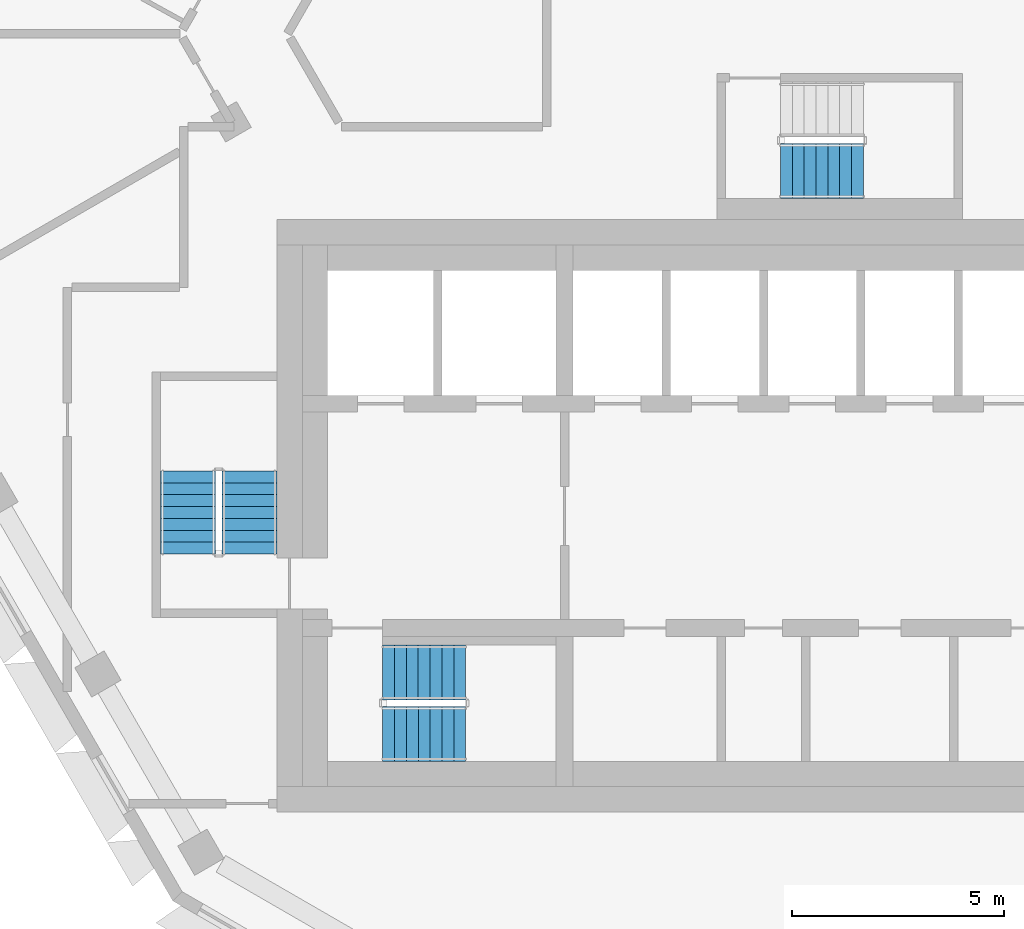
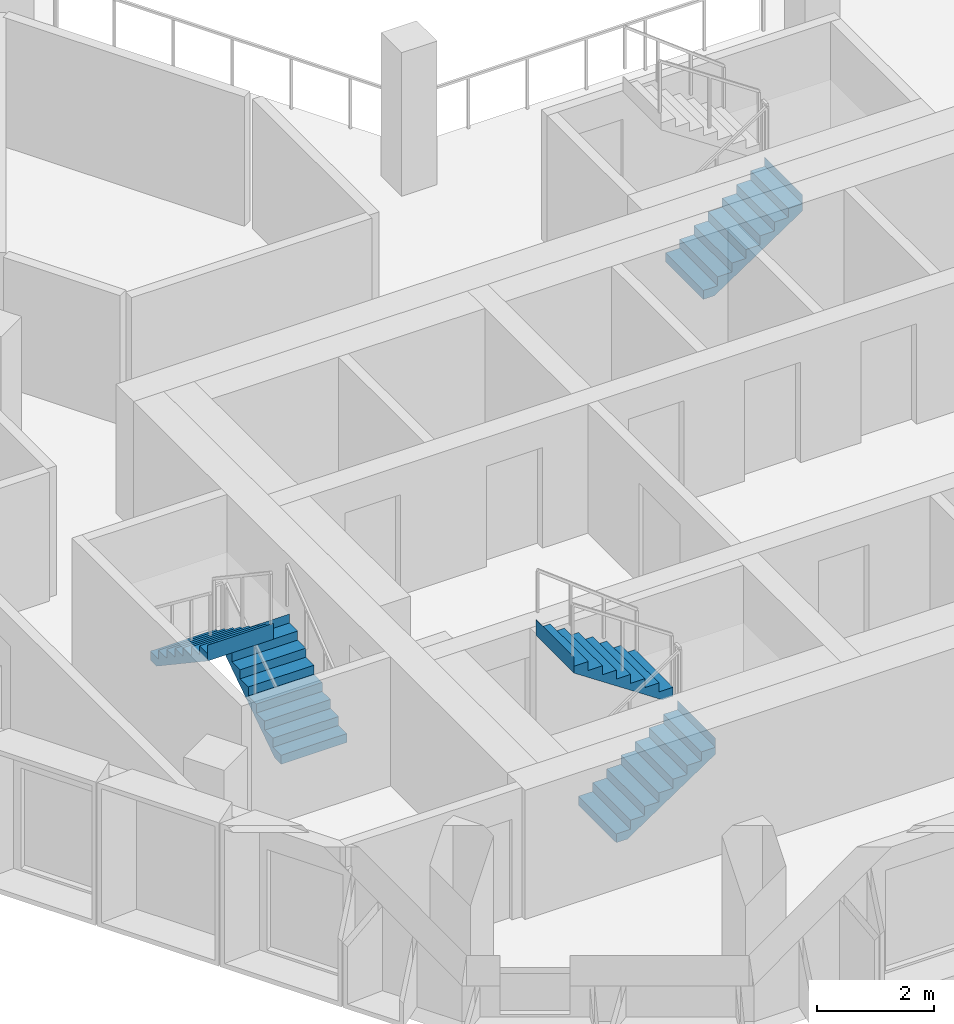
# One storey, part 9 of 15: 5 stair flights, 3 elements without a shape of their own.
"""IFC4 building model written with IfcOpenShell, lengths in metres."""

from ifc_helpers import new_model, si_unit, direction, frame, origin, place, context, subcontext, project, spatial, triangles, material, type_object, element, aggregate, save


model = new_model("IFC4")

# Units and contexts
model_context = context("Model", 3, precision=1e-05, world=origin(), true_north=direction((0.0, 1.0)))
body_context = subcontext(model_context, "Body", "Model", "MODEL_VIEW")
ifc_project = project(units=[si_unit("LENGTHUNIT", "METRE"), si_unit("AREAUNIT", "SQUARE_METRE"), si_unit("VOLUMEUNIT", "CUBIC_METRE"), si_unit("PLANEANGLEUNIT", "RADIAN"), si_unit("MASSUNIT", "GRAM", prefix="KILO")], contexts=[model_context])

# Site, building, storey
site_placement = place(None, origin())
site = spatial("IfcSite", under=ifc_project, at=site_placement, CompositionType="ELEMENT")
building_placement = place(site_placement, origin())
building = spatial("IfcBuilding", under=site, at=building_placement, Name="Beryl Residences", CompositionType="ELEMENT")
storey_placement = place(building_placement, frame((0.0, 0.0, 193.199951171875)))
storey = spatial("IfcBuildingStorey", under=building, at=storey_placement, Name="L59", CompositionType="ELEMENT", Elevation=193.199951171875)

# Stair, stair flights
ifc_material_1 = material(Name="Concrete C40/50", Category="concrete")
stair_type = type_object("IfcStairType", Name="ST1 protected exit stair, half-turn, 1300 mm flights", PredefinedType="HALF_TURN_STAIR", material=ifc_material_1)
stair_1_placement = place(storey_placement, origin())
stair_1 = element("IfcStair", 1, at=stair_1_placement, inside=storey, type_object=stair_type, Name="L59 PROTECTED EXIT STAIR ST-1", PredefinedType="HALF_TURN_STAIR")
ifc_material_2 = material(Name="Concrete C40/50", Category="concrete")
stair_flight_type = type_object("IfcStairFlightType", Name="SF1 stair flight 1300 mm", PredefinedType="STRAIGHT", material=ifc_material_2)
stair_flight_1_placement = place(storey_placement, frame((-10.800048828125, -17.14990234375, 0.0), z_axis=(0.0, 0.0, 1.0), x_axis=(1.0, 0.0, 0.0)))
stair_flight_1 = element("IfcStairFlight", 2, at=stair_flight_1_placement, type_object=stair_flight_type, Name="ST-1 flight 1", NumberOfRisers=8, NumberOfTreads=7, PredefinedType="STRAIGHT", RiserHeight=0.1875, TreadLength=0.28, context=body_context, shape_type="Tessellation", body=[
    triangles([(0.0, -0.64990234375, 0.0), (0.0, -0.324951171875, 0.0), (0.0, 0.0, 0.0), (0.0, 0.324951171875, 0.0), (0.0, 0.64990234375, 0.0), (0.0, -0.64990234375, 0.1875), (0.0, -0.324951171875, 0.1875), (0.0, 0.0, 0.1875), (0.0, 0.324951171875, 0.1875), (0.0, 0.64990234375, 0.1875), (0.280029296875, -0.64990234375, 0.1875), (0.280029296875, -0.324951171875, 0.1875), (0.280029296875, 0.0, 0.1875), (0.280029296875, 0.324951171875, 0.1875), (0.280029296875, 0.64990234375, 0.1875), (0.280029296875, -0.64990234375, 0.375), (0.280029296875, -0.324951171875, 0.375), (0.280029296875, 0.0, 0.375), (0.280029296875, 0.324951171875, 0.375), (0.280029296875, 0.64990234375, 0.375), (0.56005859375, -0.64990234375, 0.375), (0.56005859375, -0.324951171875, 0.375), (0.56005859375, 0.0, 0.375), (0.56005859375, 0.324951171875, 0.375), (0.56005859375, 0.64990234375, 0.375), (0.56005859375, -0.64990234375, 0.5625), (0.56005859375, -0.324951171875, 0.5625), (0.56005859375, 0.0, 0.5625), (0.56005859375, 0.324951171875, 0.5625), (0.56005859375, 0.64990234375, 0.5625), (0.840087890625, -0.64990234375, 0.5625), (0.840087890625, -0.324951171875, 0.5625), (0.840087890625, 0.0, 0.5625), (0.840087890625, 0.324951171875, 0.5625), (0.840087890625, 0.64990234375, 0.5625), (0.840087890625, -0.64990234375, 0.75), (0.840087890625, -0.324951171875, 0.75), (0.840087890625, 0.0, 0.75), (0.840087890625, 0.324951171875, 0.75), (0.840087890625, 0.64990234375, 0.75), (1.1201171875, -0.64990234375, 0.75), (1.1201171875, -0.324951171875, 0.75), (1.1201171875, 0.0, 0.75), (1.1201171875, 0.324951171875, 0.75), (1.1201171875, 0.64990234375, 0.75), (1.1201171875, -0.64990234375, 0.9375), (1.1201171875, -0.324951171875, 0.9375), (1.1201171875, 0.0, 0.9375), (1.1201171875, 0.324951171875, 0.9375), (1.1201171875, 0.64990234375, 0.9375), (1.39990234375, -0.64990234375, 0.9375), (1.39990234375, -0.324951171875, 0.9375), (1.39990234375, 0.0, 0.9375), (1.39990234375, 0.324951171875, 0.9375), (1.39990234375, 0.64990234375, 0.9375), (1.39990234375, -0.64990234375, 1.125), (1.39990234375, -0.324951171875, 1.125), (1.39990234375, 0.0, 1.125), (1.39990234375, 0.324951171875, 1.125), (1.39990234375, 0.64990234375, 1.125), (1.679931640625, -0.64990234375, 1.125), (1.679931640625, -0.324951171875, 1.125), (1.679931640625, 0.0, 1.125), (1.679931640625, 0.324951171875, 1.125), (1.679931640625, 0.64990234375, 1.125), (1.679931640625, -0.64990234375, 1.3125), (1.679931640625, -0.324951171875, 1.3125), (1.679931640625, 0.0, 1.3125), (1.679931640625, 0.324951171875, 1.3125), (1.679931640625, 0.64990234375, 1.3125), (1.9599609375, -0.64990234375, 1.3125), (1.9599609375, -0.324951171875, 1.3125), (1.9599609375, 0.0, 1.3125), (1.9599609375, 0.324951171875, 1.3125), (1.9599609375, 0.64990234375, 1.3125), (1.9599609375, -0.64990234375, 1.5), (1.9599609375, -0.324951171875, 1.5), (1.9599609375, 0.0, 1.5), (1.9599609375, 0.324951171875, 1.5), (1.9599609375, 0.64990234375, 1.5), (1.9609375, -0.64990234375, 1.5), (1.9609375, -0.324951171875, 1.5), (1.9609375, 0.0, 1.5), (1.9609375, 0.324951171875, 1.5), (1.9609375, 0.64990234375, 1.5), (1.9609375, -0.64990234375, 1.16796875), (1.9609375, -0.324951171875, 1.16796875), (1.9609375, 0.0, 1.16796875), (1.9609375, 0.324951171875, 1.16796875), (1.9609375, 0.64990234375, 1.16796875), (0.216796875, -0.64990234375, 0.0), (0.216796875, -0.324951171875, 0.0), (0.216796875, 0.0, 0.0), (0.216796875, 0.324951171875, 0.0), (0.216796875, 0.64990234375, 0.0)], [[1, 6, 7], [1, 7, 2], [2, 7, 8], [2, 8, 3], [3, 8, 9], [3, 9, 4], [4, 9, 10], [4, 10, 5], [6, 11, 12], [6, 12, 7], [7, 12, 13], [7, 13, 8], [8, 13, 14], [8, 14, 9], [9, 14, 15], [9, 15, 10], [11, 16, 17], [11, 17, 12], [12, 17, 18], [12, 18, 13], [13, 18, 19], [13, 19, 14], [14, 19, 20], [14, 20, 15], [16, 21, 22], [16, 22, 17], [17, 22, 23], [17, 23, 18], [18, 23, 24], [18, 24, 19], [19, 24, 25], [19, 25, 20], [21, 26, 27], [21, 27, 22], [22, 27, 28], [22, 28, 23], [23, 28, 29], [23, 29, 24], [24, 29, 30], [24, 30, 25], [26, 31, 32], [26, 32, 27], [27, 32, 33], [27, 33, 28], [28, 33, 34], [28, 34, 29], [29, 34, 35], [29, 35, 30], [31, 36, 37], [31, 37, 32], [32, 37, 38], [32, 38, 33], [33, 38, 39], [33, 39, 34], [34, 39, 40], [34, 40, 35], [36, 41, 42], [36, 42, 37], [37, 42, 43], [37, 43, 38], [38, 43, 44], [38, 44, 39], [39, 44, 45], [39, 45, 40], [41, 46, 47], [41, 47, 42], [42, 47, 48], [42, 48, 43], [43, 48, 49], [43, 49, 44], [44, 49, 50], [44, 50, 45], [46, 51, 52], [46, 52, 47], [47, 52, 53], [47, 53, 48], [48, 53, 54], [48, 54, 49], [49, 54, 55], [49, 55, 50], [51, 56, 57], [51, 57, 52], [52, 57, 58], [52, 58, 53], [53, 58, 59], [53, 59, 54], [54, 59, 60], [54, 60, 55], [56, 61, 62], [56, 62, 57], [57, 62, 63], [57, 63, 58], [58, 63, 64], [58, 64, 59], [59, 64, 65], [59, 65, 60], [61, 66, 67], [61, 67, 62], [62, 67, 68], [62, 68, 63], [63, 68, 69], [63, 69, 64], [64, 69, 70], [64, 70, 65], [66, 71, 72], [66, 72, 67], [67, 72, 73], [67, 73, 68], [68, 73, 74], [68, 74, 69], [69, 74, 75], [69, 75, 70], [71, 76, 77], [71, 77, 72], [72, 77, 78], [72, 78, 73], [73, 78, 79], [73, 79, 74], [74, 79, 80], [74, 80, 75], [76, 81, 82], [76, 82, 77], [77, 82, 83], [77, 83, 78], [78, 83, 84], [78, 84, 79], [79, 84, 85], [79, 85, 80], [81, 86, 87], [81, 87, 82], [82, 87, 88], [82, 88, 83], [83, 88, 89], [83, 89, 84], [84, 89, 90], [84, 90, 85], [86, 91, 92], [86, 92, 87], [87, 92, 93], [87, 93, 88], [88, 93, 94], [88, 94, 89], [89, 94, 95], [89, 95, 90], [91, 1, 2], [91, 2, 92], [92, 2, 3], [92, 3, 93], [93, 3, 4], [93, 4, 94], [94, 4, 5], [94, 5, 95], [1, 91, 86], [5, 90, 95], [86, 81, 76], [90, 80, 85], [86, 76, 71], [90, 75, 80], [86, 71, 66], [90, 70, 75], [86, 66, 61], [90, 65, 70], [61, 56, 51], [65, 55, 60], [86, 61, 51], [90, 55, 65], [51, 46, 41], [55, 45, 50], [86, 51, 41], [90, 45, 55], [41, 36, 31], [45, 35, 40], [86, 41, 31], [90, 35, 45], [31, 26, 21], [35, 25, 30], [86, 31, 21], [90, 25, 35], [21, 16, 11], [25, 15, 20], [86, 21, 11], [90, 15, 25], [1, 86, 11], [5, 15, 90], [11, 6, 1], [15, 5, 10]], closed=True),
])
stair_flight_2_placement = place(storey_placement, frame((-8.840087890625, -15.699951171875, 1.5), z_axis=(0.0, 0.0, 1.0), x_axis=(-1.0, 0.0, 0.0)))
stair_flight_2 = element("IfcStairFlight", 3, at=stair_flight_2_placement, type_object=stair_flight_type, Name="ST-1 flight 2", NumberOfRisers=8, NumberOfTreads=7, PredefinedType="STRAIGHT", RiserHeight=0.1875, TreadLength=0.28, context=body_context, shape_type="Tessellation", body=[
    triangles([(0.0, -0.64990234375, 0.0), (0.0, -0.324951171875, 0.0), (0.0, 0.0, 0.0), (0.0, 0.324951171875, 0.0), (0.0, 0.64990234375, 0.0), (0.0, -0.64990234375, 0.1875), (0.0, -0.324951171875, 0.1875), (0.0, 0.0, 0.1875), (0.0, 0.324951171875, 0.1875), (0.0, 0.64990234375, 0.1875), (0.280029296875, -0.64990234375, 0.1875), (0.280029296875, -0.324951171875, 0.1875), (0.280029296875, 0.0, 0.1875), (0.280029296875, 0.324951171875, 0.1875), (0.280029296875, 0.64990234375, 0.1875), (0.280029296875, -0.64990234375, 0.375), (0.280029296875, -0.324951171875, 0.375), (0.280029296875, 0.0, 0.375), (0.280029296875, 0.324951171875, 0.375), (0.280029296875, 0.64990234375, 0.375), (0.56005859375, -0.64990234375, 0.375), (0.56005859375, -0.324951171875, 0.375), (0.56005859375, 0.0, 0.375), (0.56005859375, 0.324951171875, 0.375), (0.56005859375, 0.64990234375, 0.375), (0.56005859375, -0.64990234375, 0.5625), (0.56005859375, -0.324951171875, 0.5625), (0.56005859375, 0.0, 0.5625), (0.56005859375, 0.324951171875, 0.5625), (0.56005859375, 0.64990234375, 0.5625), (0.840087890625, -0.64990234375, 0.5625), (0.840087890625, -0.324951171875, 0.5625), (0.840087890625, 0.0, 0.5625), (0.840087890625, 0.324951171875, 0.5625), (0.840087890625, 0.64990234375, 0.5625), (0.840087890625, -0.64990234375, 0.75), (0.840087890625, -0.324951171875, 0.75), (0.840087890625, 0.0, 0.75), (0.840087890625, 0.324951171875, 0.75), (0.840087890625, 0.64990234375, 0.75), (1.1201171875, -0.64990234375, 0.75), (1.1201171875, -0.324951171875, 0.75), (1.1201171875, 0.0, 0.75), (1.1201171875, 0.324951171875, 0.75), (1.1201171875, 0.64990234375, 0.75), (1.1201171875, -0.64990234375, 0.9375), (1.1201171875, -0.324951171875, 0.9375), (1.1201171875, 0.0, 0.9375), (1.1201171875, 0.324951171875, 0.9375), (1.1201171875, 0.64990234375, 0.9375), (1.39990234375, -0.64990234375, 0.9375), (1.39990234375, -0.324951171875, 0.9375), (1.39990234375, 0.0, 0.9375), (1.39990234375, 0.324951171875, 0.9375), (1.39990234375, 0.64990234375, 0.9375), (1.39990234375, -0.64990234375, 1.125), (1.39990234375, -0.324951171875, 1.125), (1.39990234375, 0.0, 1.125), (1.39990234375, 0.324951171875, 1.125), (1.39990234375, 0.64990234375, 1.125), (1.679931640625, -0.64990234375, 1.125), (1.679931640625, -0.324951171875, 1.125), (1.679931640625, 0.0, 1.125), (1.679931640625, 0.324951171875, 1.125), (1.679931640625, 0.64990234375, 1.125), (1.679931640625, -0.64990234375, 1.3125), (1.679931640625, -0.324951171875, 1.3125), (1.679931640625, 0.0, 1.3125), (1.679931640625, 0.324951171875, 1.3125), (1.679931640625, 0.64990234375, 1.3125), (1.9599609375, -0.64990234375, 1.3125), (1.9599609375, -0.324951171875, 1.3125), (1.9599609375, 0.0, 1.3125), (1.9599609375, 0.324951171875, 1.3125), (1.9599609375, 0.64990234375, 1.3125), (1.9599609375, -0.64990234375, 1.5), (1.9599609375, -0.324951171875, 1.5), (1.9599609375, 0.0, 1.5), (1.9599609375, 0.324951171875, 1.5), (1.9599609375, 0.64990234375, 1.5), (1.9609375, -0.64990234375, 1.5), (1.9609375, -0.324951171875, 1.5), (1.9609375, 0.0, 1.5), (1.9609375, 0.324951171875, 1.5), (1.9609375, 0.64990234375, 1.5), (1.9609375, -0.64990234375, 1.16796875), (1.9609375, -0.324951171875, 1.16796875), (1.9609375, 0.0, 1.16796875), (1.9609375, 0.324951171875, 1.16796875), (1.9609375, 0.64990234375, 1.16796875), (0.216796875, -0.64990234375, 0.0), (0.216796875, -0.324951171875, 0.0), (0.216796875, 0.0, 0.0), (0.216796875, 0.324951171875, 0.0), (0.216796875, 0.64990234375, 0.0)], [[1, 6, 7], [1, 7, 2], [2, 7, 8], [2, 8, 3], [3, 8, 9], [3, 9, 4], [4, 9, 10], [4, 10, 5], [6, 11, 12], [6, 12, 7], [7, 12, 13], [7, 13, 8], [8, 13, 14], [8, 14, 9], [9, 14, 15], [9, 15, 10], [11, 16, 17], [11, 17, 12], [12, 17, 18], [12, 18, 13], [13, 18, 19], [13, 19, 14], [14, 19, 20], [14, 20, 15], [16, 21, 22], [16, 22, 17], [17, 22, 23], [17, 23, 18], [18, 23, 24], [18, 24, 19], [19, 24, 25], [19, 25, 20], [21, 26, 27], [21, 27, 22], [22, 27, 28], [22, 28, 23], [23, 28, 29], [23, 29, 24], [24, 29, 30], [24, 30, 25], [26, 31, 32], [26, 32, 27], [27, 32, 33], [27, 33, 28], [28, 33, 34], [28, 34, 29], [29, 34, 35], [29, 35, 30], [31, 36, 37], [31, 37, 32], [32, 37, 38], [32, 38, 33], [33, 38, 39], [33, 39, 34], [34, 39, 40], [34, 40, 35], [36, 41, 42], [36, 42, 37], [37, 42, 43], [37, 43, 38], [38, 43, 44], [38, 44, 39], [39, 44, 45], [39, 45, 40], [41, 46, 47], [41, 47, 42], [42, 47, 48], [42, 48, 43], [43, 48, 49], [43, 49, 44], [44, 49, 50], [44, 50, 45], [46, 51, 52], [46, 52, 47], [47, 52, 53], [47, 53, 48], [48, 53, 54], [48, 54, 49], [49, 54, 55], [49, 55, 50], [51, 56, 57], [51, 57, 52], [52, 57, 58], [52, 58, 53], [53, 58, 59], [53, 59, 54], [54, 59, 60], [54, 60, 55], [56, 61, 62], [56, 62, 57], [57, 62, 63], [57, 63, 58], [58, 63, 64], [58, 64, 59], [59, 64, 65], [59, 65, 60], [61, 66, 67], [61, 67, 62], [62, 67, 68], [62, 68, 63], [63, 68, 69], [63, 69, 64], [64, 69, 70], [64, 70, 65], [66, 71, 72], [66, 72, 67], [67, 72, 73], [67, 73, 68], [68, 73, 74], [68, 74, 69], [69, 74, 75], [69, 75, 70], [71, 76, 77], [71, 77, 72], [72, 77, 78], [72, 78, 73], [73, 78, 79], [73, 79, 74], [74, 79, 80], [74, 80, 75], [76, 81, 82], [76, 82, 77], [77, 82, 83], [77, 83, 78], [78, 83, 84], [78, 84, 79], [79, 84, 85], [79, 85, 80], [81, 86, 87], [81, 87, 82], [82, 87, 88], [82, 88, 83], [83, 88, 89], [83, 89, 84], [84, 89, 90], [84, 90, 85], [86, 91, 92], [86, 92, 87], [87, 92, 93], [87, 93, 88], [88, 93, 94], [88, 94, 89], [89, 94, 95], [89, 95, 90], [91, 1, 2], [91, 2, 92], [92, 2, 3], [92, 3, 93], [93, 3, 4], [93, 4, 94], [94, 4, 5], [94, 5, 95], [1, 91, 86], [5, 90, 95], [86, 81, 76], [90, 80, 85], [86, 76, 71], [90, 75, 80], [86, 71, 66], [90, 70, 75], [86, 66, 61], [90, 65, 70], [61, 56, 51], [65, 55, 60], [86, 61, 51], [90, 55, 65], [51, 46, 41], [55, 45, 50], [86, 51, 41], [90, 45, 55], [41, 36, 31], [45, 35, 40], [86, 41, 31], [90, 35, 45], [31, 26, 21], [35, 25, 30], [86, 31, 21], [90, 25, 35], [21, 16, 11], [25, 15, 20], [86, 21, 11], [90, 15, 25], [1, 86, 11], [5, 15, 90], [11, 6, 1], [15, 5, 10]], closed=True),
])
aggregate(stair_1, [stair_flight_1, stair_flight_2])

stair_2_placement = place(storey_placement, origin())
stair_2 = element("IfcStair", 4, at=stair_2_placement, inside=storey, type_object=stair_type, Name="L59 PROTECTED EXIT STAIR ST-2", PredefinedType="HALF_TURN_STAIR")
stair_flight_3_placement = place(storey_placement, frame((-13.949951171875, -12.89990234375, 0.0), z_axis=(0.0, 0.0, 1.0), x_axis=(0.0, 1.0, 0.0)))
stair_flight_3 = element("IfcStairFlight", 5, at=stair_flight_3_placement, type_object=stair_flight_type, Name="ST-2 flight 1", NumberOfRisers=8, NumberOfTreads=7, PredefinedType="STRAIGHT", RiserHeight=0.1875, TreadLength=0.28, context=body_context, shape_type="Tessellation", body=[
    triangles([(0.0, -0.64990234375, 0.0), (0.0, -0.324951171875, 0.0), (0.0, 0.0, 0.0), (0.0, 0.324951171875, 0.0), (0.0, 0.64990234375, 0.0), (0.0, -0.64990234375, 0.1875), (0.0, -0.324951171875, 0.1875), (0.0, 0.0, 0.1875), (0.0, 0.324951171875, 0.1875), (0.0, 0.64990234375, 0.1875), (0.280029296875, -0.64990234375, 0.1875), (0.280029296875, -0.324951171875, 0.1875), (0.280029296875, 0.0, 0.1875), (0.280029296875, 0.324951171875, 0.1875), (0.280029296875, 0.64990234375, 0.1875), (0.280029296875, -0.64990234375, 0.375), (0.280029296875, -0.324951171875, 0.375), (0.280029296875, 0.0, 0.375), (0.280029296875, 0.324951171875, 0.375), (0.280029296875, 0.64990234375, 0.375), (0.56005859375, -0.64990234375, 0.375), (0.56005859375, -0.324951171875, 0.375), (0.56005859375, 0.0, 0.375), (0.56005859375, 0.324951171875, 0.375), (0.56005859375, 0.64990234375, 0.375), (0.56005859375, -0.64990234375, 0.5625), (0.56005859375, -0.324951171875, 0.5625), (0.56005859375, 0.0, 0.5625), (0.56005859375, 0.324951171875, 0.5625), (0.56005859375, 0.64990234375, 0.5625), (0.840087890625, -0.64990234375, 0.5625), (0.840087890625, -0.324951171875, 0.5625), (0.840087890625, 0.0, 0.5625), (0.840087890625, 0.324951171875, 0.5625), (0.840087890625, 0.64990234375, 0.5625), (0.840087890625, -0.64990234375, 0.75), (0.840087890625, -0.324951171875, 0.75), (0.840087890625, 0.0, 0.75), (0.840087890625, 0.324951171875, 0.75), (0.840087890625, 0.64990234375, 0.75), (1.1201171875, -0.64990234375, 0.75), (1.1201171875, -0.324951171875, 0.75), (1.1201171875, 0.0, 0.75), (1.1201171875, 0.324951171875, 0.75), (1.1201171875, 0.64990234375, 0.75), (1.1201171875, -0.64990234375, 0.9375), (1.1201171875, -0.324951171875, 0.9375), (1.1201171875, 0.0, 0.9375), (1.1201171875, 0.324951171875, 0.9375), (1.1201171875, 0.64990234375, 0.9375), (1.39990234375, -0.64990234375, 0.9375), (1.39990234375, -0.324951171875, 0.9375), (1.39990234375, 0.0, 0.9375), (1.39990234375, 0.324951171875, 0.9375), (1.39990234375, 0.64990234375, 0.9375), (1.39990234375, -0.64990234375, 1.125), (1.39990234375, -0.324951171875, 1.125), (1.39990234375, 0.0, 1.125), (1.39990234375, 0.324951171875, 1.125), (1.39990234375, 0.64990234375, 1.125), (1.679931640625, -0.64990234375, 1.125), (1.679931640625, -0.324951171875, 1.125), (1.679931640625, 0.0, 1.125), (1.679931640625, 0.324951171875, 1.125), (1.679931640625, 0.64990234375, 1.125), (1.679931640625, -0.64990234375, 1.3125), (1.679931640625, -0.324951171875, 1.3125), (1.679931640625, 0.0, 1.3125), (1.679931640625, 0.324951171875, 1.3125), (1.679931640625, 0.64990234375, 1.3125), (1.9599609375, -0.64990234375, 1.3125), (1.9599609375, -0.324951171875, 1.3125), (1.9599609375, 0.0, 1.3125), (1.9599609375, 0.324951171875, 1.3125), (1.9599609375, 0.64990234375, 1.3125), (1.9599609375, -0.64990234375, 1.5), (1.9599609375, -0.324951171875, 1.5), (1.9599609375, 0.0, 1.5), (1.9599609375, 0.324951171875, 1.5), (1.9599609375, 0.64990234375, 1.5), (1.9609375, -0.64990234375, 1.5), (1.9609375, -0.324951171875, 1.5), (1.9609375, 0.0, 1.5), (1.9609375, 0.324951171875, 1.5), (1.9609375, 0.64990234375, 1.5), (1.9609375, -0.64990234375, 1.16796875), (1.9609375, -0.324951171875, 1.16796875), (1.9609375, 0.0, 1.16796875), (1.9609375, 0.324951171875, 1.16796875), (1.9609375, 0.64990234375, 1.16796875), (0.216796875, -0.64990234375, 0.0), (0.216796875, -0.324951171875, 0.0), (0.216796875, 0.0, 0.0), (0.216796875, 0.324951171875, 0.0), (0.216796875, 0.64990234375, 0.0)], [[1, 6, 7], [1, 7, 2], [2, 7, 8], [2, 8, 3], [3, 8, 9], [3, 9, 4], [4, 9, 10], [4, 10, 5], [6, 11, 12], [6, 12, 7], [7, 12, 13], [7, 13, 8], [8, 13, 14], [8, 14, 9], [9, 14, 15], [9, 15, 10], [11, 16, 17], [11, 17, 12], [12, 17, 18], [12, 18, 13], [13, 18, 19], [13, 19, 14], [14, 19, 20], [14, 20, 15], [16, 21, 22], [16, 22, 17], [17, 22, 23], [17, 23, 18], [18, 23, 24], [18, 24, 19], [19, 24, 25], [19, 25, 20], [21, 26, 27], [21, 27, 22], [22, 27, 28], [22, 28, 23], [23, 28, 29], [23, 29, 24], [24, 29, 30], [24, 30, 25], [26, 31, 32], [26, 32, 27], [27, 32, 33], [27, 33, 28], [28, 33, 34], [28, 34, 29], [29, 34, 35], [29, 35, 30], [31, 36, 37], [31, 37, 32], [32, 37, 38], [32, 38, 33], [33, 38, 39], [33, 39, 34], [34, 39, 40], [34, 40, 35], [36, 41, 42], [36, 42, 37], [37, 42, 43], [37, 43, 38], [38, 43, 44], [38, 44, 39], [39, 44, 45], [39, 45, 40], [41, 46, 47], [41, 47, 42], [42, 47, 48], [42, 48, 43], [43, 48, 49], [43, 49, 44], [44, 49, 50], [44, 50, 45], [46, 51, 52], [46, 52, 47], [47, 52, 53], [47, 53, 48], [48, 53, 54], [48, 54, 49], [49, 54, 55], [49, 55, 50], [51, 56, 57], [51, 57, 52], [52, 57, 58], [52, 58, 53], [53, 58, 59], [53, 59, 54], [54, 59, 60], [54, 60, 55], [56, 61, 62], [56, 62, 57], [57, 62, 63], [57, 63, 58], [58, 63, 64], [58, 64, 59], [59, 64, 65], [59, 65, 60], [61, 66, 67], [61, 67, 62], [62, 67, 68], [62, 68, 63], [63, 68, 69], [63, 69, 64], [64, 69, 70], [64, 70, 65], [66, 71, 72], [66, 72, 67], [67, 72, 73], [67, 73, 68], [68, 73, 74], [68, 74, 69], [69, 74, 75], [69, 75, 70], [71, 76, 77], [71, 77, 72], [72, 77, 78], [72, 78, 73], [73, 78, 79], [73, 79, 74], [74, 79, 80], [74, 80, 75], [76, 81, 82], [76, 82, 77], [77, 82, 83], [77, 83, 78], [78, 83, 84], [78, 84, 79], [79, 84, 85], [79, 85, 80], [81, 86, 87], [81, 87, 82], [82, 87, 88], [82, 88, 83], [83, 88, 89], [83, 89, 84], [84, 89, 90], [84, 90, 85], [86, 91, 92], [86, 92, 87], [87, 92, 93], [87, 93, 88], [88, 93, 94], [88, 94, 89], [89, 94, 95], [89, 95, 90], [91, 1, 2], [91, 2, 92], [92, 2, 3], [92, 3, 93], [93, 3, 4], [93, 4, 94], [94, 4, 5], [94, 5, 95], [1, 91, 86], [5, 90, 95], [86, 81, 76], [90, 80, 85], [86, 76, 71], [90, 75, 80], [86, 71, 66], [90, 70, 75], [86, 66, 61], [90, 65, 70], [61, 56, 51], [65, 55, 60], [86, 61, 51], [90, 55, 65], [51, 46, 41], [55, 45, 50], [86, 51, 41], [90, 45, 55], [41, 36, 31], [45, 35, 40], [86, 41, 31], [90, 35, 45], [31, 26, 21], [35, 25, 30], [86, 31, 21], [90, 25, 35], [21, 16, 11], [25, 15, 20], [86, 21, 11], [90, 15, 25], [1, 86, 11], [5, 15, 90], [11, 6, 1], [15, 5, 10]], closed=True),
])
stair_flight_4_placement = place(storey_placement, frame((-15.39990234375, -10.93994140625, 1.5), z_axis=(0.0, 0.0, 1.0), x_axis=(0.0, -1.0, 0.0)))
stair_flight_4 = element("IfcStairFlight", 6, at=stair_flight_4_placement, type_object=stair_flight_type, Name="ST-2 flight 2", NumberOfRisers=8, NumberOfTreads=7, PredefinedType="STRAIGHT", RiserHeight=0.1875, TreadLength=0.28, context=body_context, shape_type="Tessellation", body=[
    triangles([(0.0, -0.64990234375, 0.0), (0.0, -0.324951171875, 0.0), (0.0, 0.0, 0.0), (0.0, 0.324951171875, 0.0), (0.0, 0.64990234375, 0.0), (0.0, -0.64990234375, 0.1875), (0.0, -0.324951171875, 0.1875), (0.0, 0.0, 0.1875), (0.0, 0.324951171875, 0.1875), (0.0, 0.64990234375, 0.1875), (0.280029296875, -0.64990234375, 0.1875), (0.280029296875, -0.324951171875, 0.1875), (0.280029296875, 0.0, 0.1875), (0.280029296875, 0.324951171875, 0.1875), (0.280029296875, 0.64990234375, 0.1875), (0.280029296875, -0.64990234375, 0.375), (0.280029296875, -0.324951171875, 0.375), (0.280029296875, 0.0, 0.375), (0.280029296875, 0.324951171875, 0.375), (0.280029296875, 0.64990234375, 0.375), (0.56005859375, -0.64990234375, 0.375), (0.56005859375, -0.324951171875, 0.375), (0.56005859375, 0.0, 0.375), (0.56005859375, 0.324951171875, 0.375), (0.56005859375, 0.64990234375, 0.375), (0.56005859375, -0.64990234375, 0.5625), (0.56005859375, -0.324951171875, 0.5625), (0.56005859375, 0.0, 0.5625), (0.56005859375, 0.324951171875, 0.5625), (0.56005859375, 0.64990234375, 0.5625), (0.840087890625, -0.64990234375, 0.5625), (0.840087890625, -0.324951171875, 0.5625), (0.840087890625, 0.0, 0.5625), (0.840087890625, 0.324951171875, 0.5625), (0.840087890625, 0.64990234375, 0.5625), (0.840087890625, -0.64990234375, 0.75), (0.840087890625, -0.324951171875, 0.75), (0.840087890625, 0.0, 0.75), (0.840087890625, 0.324951171875, 0.75), (0.840087890625, 0.64990234375, 0.75), (1.1201171875, -0.64990234375, 0.75), (1.1201171875, -0.324951171875, 0.75), (1.1201171875, 0.0, 0.75), (1.1201171875, 0.324951171875, 0.75), (1.1201171875, 0.64990234375, 0.75), (1.1201171875, -0.64990234375, 0.9375), (1.1201171875, -0.324951171875, 0.9375), (1.1201171875, 0.0, 0.9375), (1.1201171875, 0.324951171875, 0.9375), (1.1201171875, 0.64990234375, 0.9375), (1.39990234375, -0.64990234375, 0.9375), (1.39990234375, -0.324951171875, 0.9375), (1.39990234375, 0.0, 0.9375), (1.39990234375, 0.324951171875, 0.9375), (1.39990234375, 0.64990234375, 0.9375), (1.39990234375, -0.64990234375, 1.125), (1.39990234375, -0.324951171875, 1.125), (1.39990234375, 0.0, 1.125), (1.39990234375, 0.324951171875, 1.125), (1.39990234375, 0.64990234375, 1.125), (1.679931640625, -0.64990234375, 1.125), (1.679931640625, -0.324951171875, 1.125), (1.679931640625, 0.0, 1.125), (1.679931640625, 0.324951171875, 1.125), (1.679931640625, 0.64990234375, 1.125), (1.679931640625, -0.64990234375, 1.3125), (1.679931640625, -0.324951171875, 1.3125), (1.679931640625, 0.0, 1.3125), (1.679931640625, 0.324951171875, 1.3125), (1.679931640625, 0.64990234375, 1.3125), (1.9599609375, -0.64990234375, 1.3125), (1.9599609375, -0.324951171875, 1.3125), (1.9599609375, 0.0, 1.3125), (1.9599609375, 0.324951171875, 1.3125), (1.9599609375, 0.64990234375, 1.3125), (1.9599609375, -0.64990234375, 1.5), (1.9599609375, -0.324951171875, 1.5), (1.9599609375, 0.0, 1.5), (1.9599609375, 0.324951171875, 1.5), (1.9599609375, 0.64990234375, 1.5), (1.9609375, -0.64990234375, 1.5), (1.9609375, -0.324951171875, 1.5), (1.9609375, 0.0, 1.5), (1.9609375, 0.324951171875, 1.5), (1.9609375, 0.64990234375, 1.5), (1.9609375, -0.64990234375, 1.16796875), (1.9609375, -0.324951171875, 1.16796875), (1.9609375, 0.0, 1.16796875), (1.9609375, 0.324951171875, 1.16796875), (1.9609375, 0.64990234375, 1.16796875), (0.216796875, -0.64990234375, 0.0), (0.216796875, -0.324951171875, 0.0), (0.216796875, 0.0, 0.0), (0.216796875, 0.324951171875, 0.0), (0.216796875, 0.64990234375, 0.0)], [[1, 6, 7], [1, 7, 2], [2, 7, 8], [2, 8, 3], [3, 8, 9], [3, 9, 4], [4, 9, 10], [4, 10, 5], [6, 11, 12], [6, 12, 7], [7, 12, 13], [7, 13, 8], [8, 13, 14], [8, 14, 9], [9, 14, 15], [9, 15, 10], [11, 16, 17], [11, 17, 12], [12, 17, 18], [12, 18, 13], [13, 18, 19], [13, 19, 14], [14, 19, 20], [14, 20, 15], [16, 21, 22], [16, 22, 17], [17, 22, 23], [17, 23, 18], [18, 23, 24], [18, 24, 19], [19, 24, 25], [19, 25, 20], [21, 26, 27], [21, 27, 22], [22, 27, 28], [22, 28, 23], [23, 28, 29], [23, 29, 24], [24, 29, 30], [24, 30, 25], [26, 31, 32], [26, 32, 27], [27, 32, 33], [27, 33, 28], [28, 33, 34], [28, 34, 29], [29, 34, 35], [29, 35, 30], [31, 36, 37], [31, 37, 32], [32, 37, 38], [32, 38, 33], [33, 38, 39], [33, 39, 34], [34, 39, 40], [34, 40, 35], [36, 41, 42], [36, 42, 37], [37, 42, 43], [37, 43, 38], [38, 43, 44], [38, 44, 39], [39, 44, 45], [39, 45, 40], [41, 46, 47], [41, 47, 42], [42, 47, 48], [42, 48, 43], [43, 48, 49], [43, 49, 44], [44, 49, 50], [44, 50, 45], [46, 51, 52], [46, 52, 47], [47, 52, 53], [47, 53, 48], [48, 53, 54], [48, 54, 49], [49, 54, 55], [49, 55, 50], [51, 56, 57], [51, 57, 52], [52, 57, 58], [52, 58, 53], [53, 58, 59], [53, 59, 54], [54, 59, 60], [54, 60, 55], [56, 61, 62], [56, 62, 57], [57, 62, 63], [57, 63, 58], [58, 63, 64], [58, 64, 59], [59, 64, 65], [59, 65, 60], [61, 66, 67], [61, 67, 62], [62, 67, 68], [62, 68, 63], [63, 68, 69], [63, 69, 64], [64, 69, 70], [64, 70, 65], [66, 71, 72], [66, 72, 67], [67, 72, 73], [67, 73, 68], [68, 73, 74], [68, 74, 69], [69, 74, 75], [69, 75, 70], [71, 76, 77], [71, 77, 72], [72, 77, 78], [72, 78, 73], [73, 78, 79], [73, 79, 74], [74, 79, 80], [74, 80, 75], [76, 81, 82], [76, 82, 77], [77, 82, 83], [77, 83, 78], [78, 83, 84], [78, 84, 79], [79, 84, 85], [79, 85, 80], [81, 86, 87], [81, 87, 82], [82, 87, 88], [82, 88, 83], [83, 88, 89], [83, 89, 84], [84, 89, 90], [84, 90, 85], [86, 91, 92], [86, 92, 87], [87, 92, 93], [87, 93, 88], [88, 93, 94], [88, 94, 89], [89, 94, 95], [89, 95, 90], [91, 1, 2], [91, 2, 92], [92, 2, 3], [92, 3, 93], [93, 3, 4], [93, 4, 94], [94, 4, 5], [94, 5, 95], [1, 91, 86], [5, 90, 95], [86, 81, 76], [90, 80, 85], [86, 76, 71], [90, 75, 80], [86, 71, 66], [90, 70, 75], [86, 66, 61], [90, 65, 70], [61, 56, 51], [65, 55, 60], [86, 61, 51], [90, 55, 65], [51, 46, 41], [55, 45, 50], [86, 51, 41], [90, 45, 55], [41, 36, 31], [45, 35, 40], [86, 41, 31], [90, 35, 45], [31, 26, 21], [35, 25, 30], [86, 31, 21], [90, 25, 35], [21, 16, 11], [25, 15, 20], [86, 21, 11], [90, 15, 25], [1, 86, 11], [5, 15, 90], [11, 6, 1], [15, 5, 10]], closed=True),
])
aggregate(stair_2, [stair_flight_3, stair_flight_4])

# Stair, stair flight
stair_3_placement = place(storey_placement, origin())
stair_3 = element("IfcStair", 7, at=stair_3_placement, inside=storey, type_object=stair_type, Name="L59 PROTECTED EXIT STAIR ST-4", PredefinedType="HALF_TURN_STAIR")
stair_flight_5_placement = place(storey_placement, frame((-1.39990234375, -3.85009765625, 0.0), z_axis=(0.0, 0.0, 1.0), x_axis=(1.0, 0.0, 0.0)))
stair_flight_5 = element("IfcStairFlight", 8, at=stair_flight_5_placement, type_object=stair_flight_type, Name="ST-4 flight 1", NumberOfRisers=8, NumberOfTreads=7, PredefinedType="STRAIGHT", RiserHeight=0.1875, TreadLength=0.28, context=body_context, shape_type="Tessellation", body=[
    triangles([(0.0, -0.64990234375, 0.0), (0.0, -0.324951171875, 0.0), (0.0, 0.0, 0.0), (0.0, 0.324951171875, 0.0), (0.0, 0.64990234375, 0.0), (0.0, -0.64990234375, 0.1875), (0.0, -0.324951171875, 0.1875), (0.0, 0.0, 0.1875), (0.0, 0.324951171875, 0.1875), (0.0, 0.64990234375, 0.1875), (0.280029296875, -0.64990234375, 0.1875), (0.280029296875, -0.324951171875, 0.1875), (0.280029296875, 0.0, 0.1875), (0.280029296875, 0.324951171875, 0.1875), (0.280029296875, 0.64990234375, 0.1875), (0.280029296875, -0.64990234375, 0.375), (0.280029296875, -0.324951171875, 0.375), (0.280029296875, 0.0, 0.375), (0.280029296875, 0.324951171875, 0.375), (0.280029296875, 0.64990234375, 0.375), (0.56005859375, -0.64990234375, 0.375), (0.56005859375, -0.324951171875, 0.375), (0.56005859375, 0.0, 0.375), (0.56005859375, 0.324951171875, 0.375), (0.56005859375, 0.64990234375, 0.375), (0.56005859375, -0.64990234375, 0.5625), (0.56005859375, -0.324951171875, 0.5625), (0.56005859375, 0.0, 0.5625), (0.56005859375, 0.324951171875, 0.5625), (0.56005859375, 0.64990234375, 0.5625), (0.840087890625, -0.64990234375, 0.5625), (0.840087890625, -0.324951171875, 0.5625), (0.840087890625, 0.0, 0.5625), (0.840087890625, 0.324951171875, 0.5625), (0.840087890625, 0.64990234375, 0.5625), (0.840087890625, -0.64990234375, 0.75), (0.840087890625, -0.324951171875, 0.75), (0.840087890625, 0.0, 0.75), (0.840087890625, 0.324951171875, 0.75), (0.840087890625, 0.64990234375, 0.75), (1.1201171875, -0.64990234375, 0.75), (1.1201171875, -0.324951171875, 0.75), (1.1201171875, 0.0, 0.75), (1.1201171875, 0.324951171875, 0.75), (1.1201171875, 0.64990234375, 0.75), (1.1201171875, -0.64990234375, 0.9375), (1.1201171875, -0.324951171875, 0.9375), (1.1201171875, 0.0, 0.9375), (1.1201171875, 0.324951171875, 0.9375), (1.1201171875, 0.64990234375, 0.9375), (1.39990234375, -0.64990234375, 0.9375), (1.39990234375, -0.324951171875, 0.9375), (1.39990234375, 0.0, 0.9375), (1.39990234375, 0.324951171875, 0.9375), (1.39990234375, 0.64990234375, 0.9375), (1.39990234375, -0.64990234375, 1.125), (1.39990234375, -0.324951171875, 1.125), (1.39990234375, 0.0, 1.125), (1.39990234375, 0.324951171875, 1.125), (1.39990234375, 0.64990234375, 1.125), (1.679931640625, -0.64990234375, 1.125), (1.679931640625, -0.324951171875, 1.125), (1.679931640625, 0.0, 1.125), (1.679931640625, 0.324951171875, 1.125), (1.679931640625, 0.64990234375, 1.125), (1.679931640625, -0.64990234375, 1.3125), (1.679931640625, -0.324951171875, 1.3125), (1.679931640625, 0.0, 1.3125), (1.679931640625, 0.324951171875, 1.3125), (1.679931640625, 0.64990234375, 1.3125), (1.9599609375, -0.64990234375, 1.3125), (1.9599609375, -0.324951171875, 1.3125), (1.9599609375, 0.0, 1.3125), (1.9599609375, 0.324951171875, 1.3125), (1.9599609375, 0.64990234375, 1.3125), (1.9599609375, -0.64990234375, 1.5), (1.9599609375, -0.324951171875, 1.5), (1.9599609375, 0.0, 1.5), (1.9599609375, 0.324951171875, 1.5), (1.9599609375, 0.64990234375, 1.5), (1.9609375, -0.64990234375, 1.5), (1.9609375, -0.324951171875, 1.5), (1.9609375, 0.0, 1.5), (1.9609375, 0.324951171875, 1.5), (1.9609375, 0.64990234375, 1.5), (1.9609375, -0.64990234375, 1.16796875), (1.9609375, -0.324951171875, 1.16796875), (1.9609375, 0.0, 1.16796875), (1.9609375, 0.324951171875, 1.16796875), (1.9609375, 0.64990234375, 1.16796875), (0.216796875, -0.64990234375, 0.0), (0.216796875, -0.324951171875, 0.0), (0.216796875, 0.0, 0.0), (0.216796875, 0.324951171875, 0.0), (0.216796875, 0.64990234375, 0.0)], [[1, 6, 7], [1, 7, 2], [2, 7, 8], [2, 8, 3], [3, 8, 9], [3, 9, 4], [4, 9, 10], [4, 10, 5], [6, 11, 12], [6, 12, 7], [7, 12, 13], [7, 13, 8], [8, 13, 14], [8, 14, 9], [9, 14, 15], [9, 15, 10], [11, 16, 17], [11, 17, 12], [12, 17, 18], [12, 18, 13], [13, 18, 19], [13, 19, 14], [14, 19, 20], [14, 20, 15], [16, 21, 22], [16, 22, 17], [17, 22, 23], [17, 23, 18], [18, 23, 24], [18, 24, 19], [19, 24, 25], [19, 25, 20], [21, 26, 27], [21, 27, 22], [22, 27, 28], [22, 28, 23], [23, 28, 29], [23, 29, 24], [24, 29, 30], [24, 30, 25], [26, 31, 32], [26, 32, 27], [27, 32, 33], [27, 33, 28], [28, 33, 34], [28, 34, 29], [29, 34, 35], [29, 35, 30], [31, 36, 37], [31, 37, 32], [32, 37, 38], [32, 38, 33], [33, 38, 39], [33, 39, 34], [34, 39, 40], [34, 40, 35], [36, 41, 42], [36, 42, 37], [37, 42, 43], [37, 43, 38], [38, 43, 44], [38, 44, 39], [39, 44, 45], [39, 45, 40], [41, 46, 47], [41, 47, 42], [42, 47, 48], [42, 48, 43], [43, 48, 49], [43, 49, 44], [44, 49, 50], [44, 50, 45], [46, 51, 52], [46, 52, 47], [47, 52, 53], [47, 53, 48], [48, 53, 54], [48, 54, 49], [49, 54, 55], [49, 55, 50], [51, 56, 57], [51, 57, 52], [52, 57, 58], [52, 58, 53], [53, 58, 59], [53, 59, 54], [54, 59, 60], [54, 60, 55], [56, 61, 62], [56, 62, 57], [57, 62, 63], [57, 63, 58], [58, 63, 64], [58, 64, 59], [59, 64, 65], [59, 65, 60], [61, 66, 67], [61, 67, 62], [62, 67, 68], [62, 68, 63], [63, 68, 69], [63, 69, 64], [64, 69, 70], [64, 70, 65], [66, 71, 72], [66, 72, 67], [67, 72, 73], [67, 73, 68], [68, 73, 74], [68, 74, 69], [69, 74, 75], [69, 75, 70], [71, 76, 77], [71, 77, 72], [72, 77, 78], [72, 78, 73], [73, 78, 79], [73, 79, 74], [74, 79, 80], [74, 80, 75], [76, 81, 82], [76, 82, 77], [77, 82, 83], [77, 83, 78], [78, 83, 84], [78, 84, 79], [79, 84, 85], [79, 85, 80], [81, 86, 87], [81, 87, 82], [82, 87, 88], [82, 88, 83], [83, 88, 89], [83, 89, 84], [84, 89, 90], [84, 90, 85], [86, 91, 92], [86, 92, 87], [87, 92, 93], [87, 93, 88], [88, 93, 94], [88, 94, 89], [89, 94, 95], [89, 95, 90], [91, 1, 2], [91, 2, 92], [92, 2, 3], [92, 3, 93], [93, 3, 4], [93, 4, 94], [94, 4, 5], [94, 5, 95], [1, 91, 86], [5, 90, 95], [86, 81, 76], [90, 80, 85], [86, 76, 71], [90, 75, 80], [86, 71, 66], [90, 70, 75], [86, 66, 61], [90, 65, 70], [61, 56, 51], [65, 55, 60], [86, 61, 51], [90, 55, 65], [51, 46, 41], [55, 45, 50], [86, 51, 41], [90, 45, 55], [41, 36, 31], [45, 35, 40], [86, 41, 31], [90, 35, 45], [31, 26, 21], [35, 25, 30], [86, 31, 21], [90, 25, 35], [21, 16, 11], [25, 15, 20], [86, 21, 11], [90, 15, 25], [1, 86, 11], [5, 15, 90], [11, 6, 1], [15, 5, 10]], closed=True),
])
aggregate(stair_3, [stair_flight_5])

save(model, "model.ifc")
